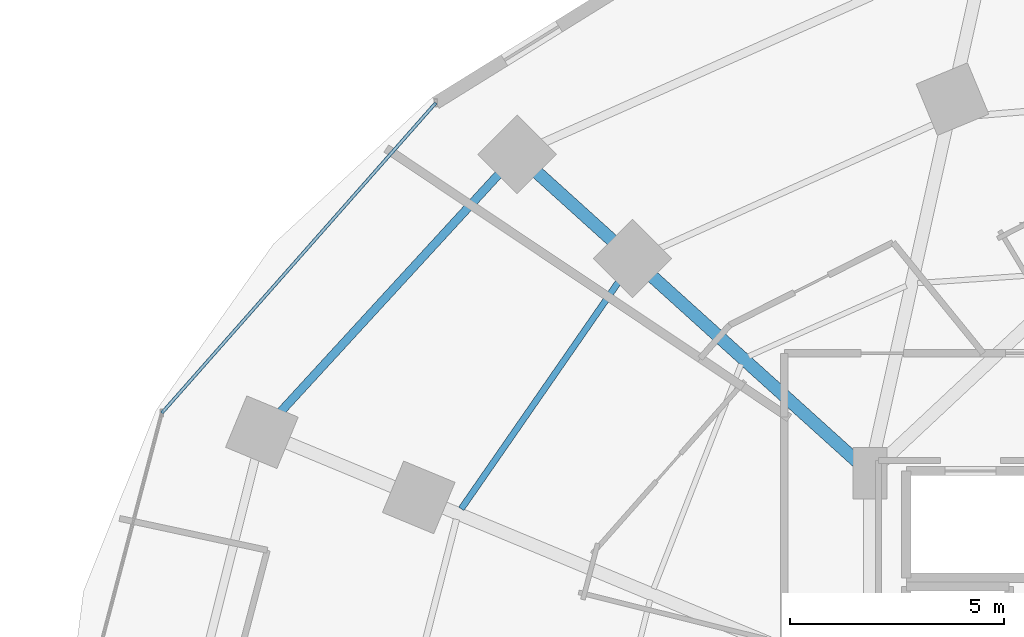
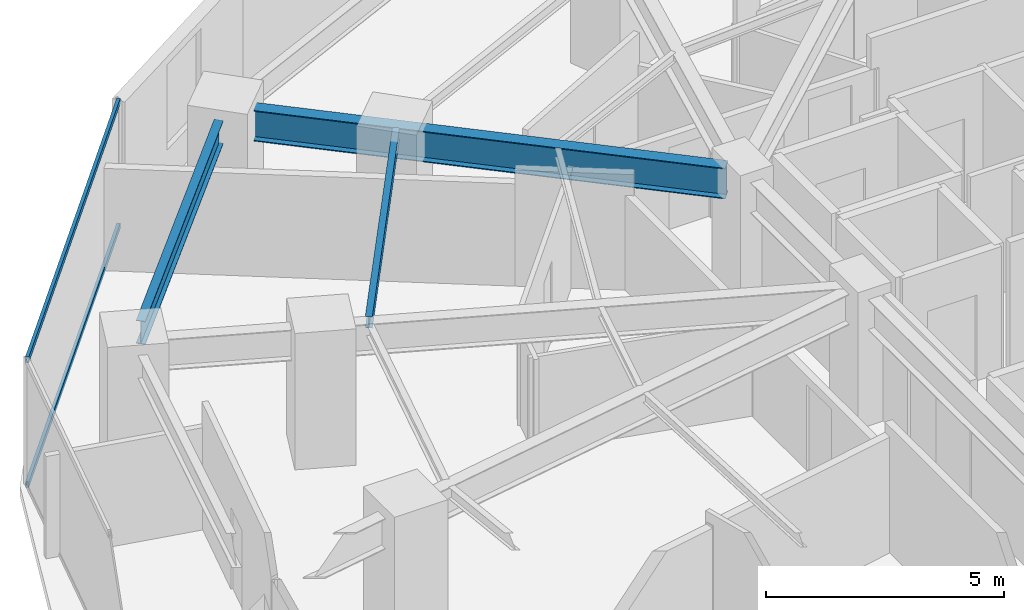
# One storey, part 18 of 33: 3 beams, 2 members, 1 element without a shape of its own.
"""IFC4 building model written with IfcOpenShell, lengths in metres."""

from ifc_helpers import new_model, si_unit, direction, frame, origin, origin_2d, place, context, subcontext, project, spatial, hollow_rectangle, i_section, extrude, material, material_profile, profile_set, type_object, element, aggregate, save


model = new_model("IFC4")

# Units and contexts
model_context = context("Model", 3, precision=1e-05, world=origin(), true_north=direction((0.0, 1.0)))
body_context = subcontext(model_context, "Body", "Model", "MODEL_VIEW")
ifc_project = project(units=[si_unit("LENGTHUNIT", "METRE"), si_unit("AREAUNIT", "SQUARE_METRE"), si_unit("VOLUMEUNIT", "CUBIC_METRE"), si_unit("PLANEANGLEUNIT", "RADIAN"), si_unit("MASSUNIT", "GRAM", prefix="KILO")], contexts=[model_context])

# Site, building, storey
site_placement = place(None, origin())
site = spatial("IfcSite", under=ifc_project, at=site_placement, CompositionType="ELEMENT")
building_placement = place(site_placement, origin())
building = spatial("IfcBuilding", under=site, at=building_placement, Name="Vorneva Point Tower", CompositionType="ELEMENT")
storey_placement = place(building_placement, frame((0.0, 0.0, 34.5)))
storey = spatial("IfcBuildingStorey", under=building, at=storey_placement, Name="L08", CompositionType="ELEMENT", Elevation=34.5)

# Beams
ifc_material_1 = material(Name="Steel S355", Category="steel")
ifc_material_profile_1 = material_profile(ifc_material_1, i_section(OverallWidth=0.300048828125, OverallDepth=0.7880859375, WebThickness=0.014404296875, FlangeThickness=0.02197265625, at=origin_2d()), Name="80Sh1")
ifc_profile_set_1 = profile_set([ifc_material_profile_1], Name="Steel S355")
beam_type_1 = type_object("IfcBeamType", Name="BM-GRD-80Sh1", PredefinedType="USERDEFINED", material=ifc_profile_set_1)
beam_1_placement = place(storey_placement, frame((19.47607421875, 40.172119140625, 2.845947265625), z_axis=(0.742084477445, -0.67030636901, 0.0), x_axis=(0.67030636901, 0.742084477445, 0.0)))
element("IfcBeam", 1, at=beam_1_placement, inside=storey, type_object=beam_type_1, Name="L08 Radial Primary Girder 07", ObjectType="GIRDER", PredefinedType="USERDEFINED", context=body_context, shape_type="SweptSolid", body=[
    extrude(i_section(OverallWidth=0.300048828125, OverallDepth=0.7880859375, WebThickness=0.014404296875, FlangeThickness=0.02197265625, at=origin_2d()), origin(), (0.0, 0.0, 1.0), 10.135986328125),
])
ifc_material_profile_2 = material_profile(ifc_material_1, i_section(OverallWidth=0.14892578125, OverallDepth=0.298095703125, WebThickness=0.005615234375, FlangeThickness=0.008056640625, at=origin_2d()), Name="30B1")
ifc_profile_set_2 = profile_set([ifc_material_profile_2], Name="Steel S355")
beam_type_2 = type_object("IfcBeamType", Name="BM-JST-30B1", PredefinedType="JOIST", material=ifc_profile_set_2)
beam_2_placement = place(storey_placement, frame((21.65380859375, 38.0205078125, 3.091064453125), z_axis=(-0.569656110383, -0.82188315222, 0.0), x_axis=(0.82188315222, -0.569656110383, 0.0)))
element("IfcBeam", 2, at=beam_2_placement, inside=storey, type_object=beam_type_2, Name="L08 Secondary Floor Beam 1.07", PredefinedType="JOIST", context=body_context, shape_type="SweptSolid", body=[
    extrude(i_section(OverallWidth=0.14892578125, OverallDepth=0.298095703125, WebThickness=0.005615234375, FlangeThickness=0.008056640625, at=origin_2d()), origin(), (0.0, 0.0, 1.0), 6.942138671875),
])
ifc_material_profile_3 = material_profile(ifc_material_1, i_section(OverallWidth=0.198974609375, OverallDepth=0.595947265625, WebThickness=0.010009765625, FlangeThickness=0.014892578125, at=origin_2d()), Name="60B1")
ifc_profile_set_3 = profile_set([ifc_material_profile_3], Name="Steel S355")
beam_type_3 = type_object("IfcBeamType", Name="BM-SPN-60B1", PredefinedType="SPANDREL", material=ifc_profile_set_3)
beam_3_placement = place(storey_placement, frame((18.572998046875, 40.132080078125, 2.94189453125), z_axis=(-0.676348412786, -0.736581851882, 0.0), x_axis=(0.736581851882, -0.676348412786, 0.0)))
element("IfcBeam", 3, at=beam_3_placement, inside=storey, type_object=beam_type_3, Name="L08 Perimeter Spandrel Ring Beam 07", PredefinedType="SPANDREL", context=body_context, shape_type="SweptSolid", body=[
    extrude(i_section(OverallWidth=0.198974609375, OverallDepth=0.595947265625, WebThickness=0.010009765625, FlangeThickness=0.014892578125, at=origin_2d()), origin(), (0.0, 0.0, 1.0), 7.547119140625),
])

# Curtain wall, members
ifc_material_2 = material(Name="Pale anodised aluminium", Category="aluminium")
curtain_wall_type = type_object("IfcCurtainWallType", Name="CW-HTL-SYS", PredefinedType="NOTDEFINED", material=ifc_material_2)
curtain_wall_placement = place(storey_placement, origin())
curtain_wall = element("IfcCurtainWall", 4, at=curtain_wall_placement, inside=storey, type_object=curtain_wall_type, Name="L08 Unitised Curtain Wall CW-L08-R03", PredefinedType="NOTDEFINED")
ifc_material_profile_4 = material_profile(ifc_material_2, hollow_rectangle(XDim=0.074951171875, YDim=0.14990234375, WallThickness=0.00390625, at=origin_2d()), Name="AL-TRN 150x75x4")
ifc_profile_set_4 = profile_set([ifc_material_profile_4], Name="Pale anodised aluminium")
member_type = type_object("IfcMemberType", Name="CW-TRN-150", PredefinedType="USERDEFINED", material=ifc_profile_set_4)
member_1_placement = place(storey_placement, frame((17.10498046875, 41.8037109375, 0.02001953125), z_axis=(-0.662075539029, -0.749437109182, 0.0), x_axis=(0.749437109182, -0.662075539029, 0.0)))
member_1 = element("IfcMember", 5, at=member_1_placement, type_object=member_type, Name="CW-L08-R03 Transom 01.1", ObjectType="TRANSOM", PredefinedType="USERDEFINED", context=body_context, shape_type="SweptSolid", body=[
    extrude(hollow_rectangle(XDim=0.074951171875, YDim=0.14990234375, WallThickness=0.00390625, at=origin_2d()), origin(), (0.0, 0.0, 1.0), 9.6748046875),
])
member_2_placement = place(storey_placement, frame((17.10498046875, 41.8037109375, 3.219970703125), z_axis=(-0.662075539029, -0.749437109182, 0.0), x_axis=(0.749437109182, -0.662075539029, 0.0)))
member_2 = element("IfcMember", 6, at=member_2_placement, type_object=member_type, Name="CW-L08-R03 Transom 01.2", ObjectType="TRANSOM", PredefinedType="USERDEFINED", context=body_context, shape_type="SweptSolid", body=[
    extrude(hollow_rectangle(XDim=0.074951171875, YDim=0.14990234375, WallThickness=0.00390625, at=origin_2d()), origin(), (0.0, 0.0, 1.0), 9.6748046875),
])
aggregate(curtain_wall, [member_1, member_2])

save(model, "model.ifc")
